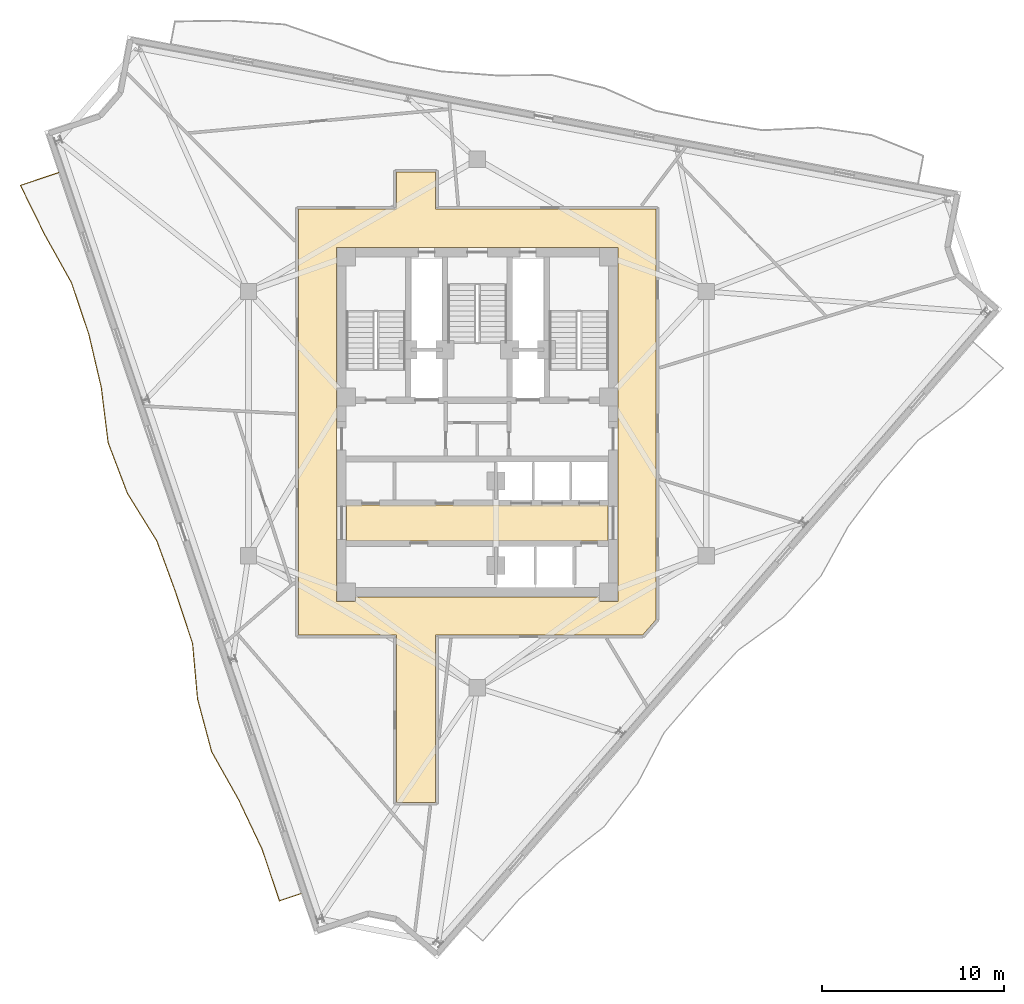
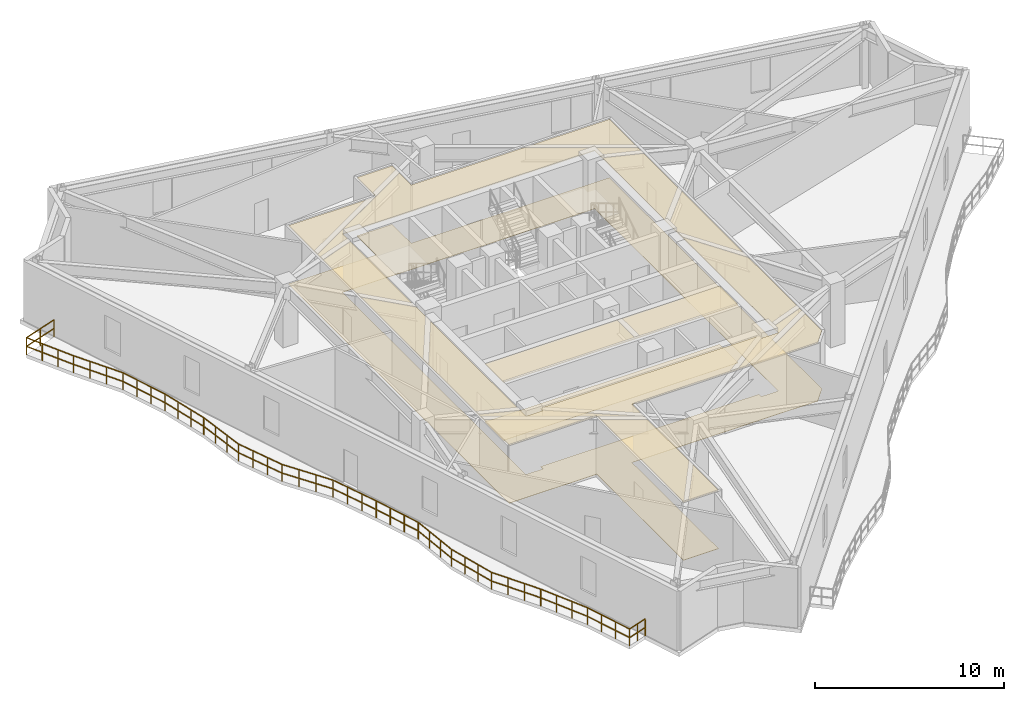
# One storey, part 8 of 11: 4 coverings, 1 railing.
"""IFC4 building model written with IfcOpenShell, lengths in metres."""

from ifc_helpers import new_model, si_unit, direction, frame, origin, origin_2d, place, context, subcontext, project, spatial, polyline, rectangle, outline, extrude, material, layer, layer_set, type_object, element, save


model = new_model("IFC4")

# Units and contexts
model_context = context("Model", 3, precision=1e-05, world=origin(), true_north=direction((0.0, 1.0)))
body_context = subcontext(model_context, "Body", "Model", "MODEL_VIEW")
ifc_project = project(units=[si_unit("LENGTHUNIT", "METRE"), si_unit("AREAUNIT", "SQUARE_METRE"), si_unit("VOLUMEUNIT", "CUBIC_METRE"), si_unit("PLANEANGLEUNIT", "RADIAN"), si_unit("MASSUNIT", "GRAM", prefix="KILO")], contexts=[model_context])

# Site, building, storey
site_placement = place(None, origin())
site = spatial("IfcSite", under=ifc_project, at=site_placement, CompositionType="ELEMENT")
building_placement = place(site_placement, origin())
building = spatial("IfcBuilding", under=site, at=building_placement, Name="Apsidion Concourse Tower", CompositionType="ELEMENT")
storey_placement = place(building_placement, frame((0.0, 0.0, 281.89990234375)))
storey = spatial("IfcBuildingStorey", under=building, at=storey_placement, Name="L66", CompositionType="ELEMENT", Elevation=281.89990234375)

# Coverings
ifc_material_1 = material(Name="Acoustic mineral fibre ceiling")
ifc_layer_1 = layer(ifc_material_1, 0.0400390625)
ifc_layer_set_1 = layer_set([ifc_layer_1], Name="Acoustic mineral fibre ceiling")
covering_type_1 = type_object("IfcCoveringType", Name="COV-CEIL-40", PredefinedType="CEILING", material=ifc_layer_set_1)
covering_1_placement = place(storey_placement, frame((0.0, 0.0, 3.75)))
element("IfcCovering", 1, at=covering_1_placement, inside=storey, type_object=covering_type_1, Name="L66 Acoustic Ceiling Grid 1", PredefinedType="CEILING", context=body_context, shape_type="SweptSolid", body=[
    extrude(outline(polyline([(-7.179931640625, -6.449951171875), (-7.179931640625, -4.47998046875), (7.179931640625, -4.47998046875), (7.179931640625, -6.449951171875), (-7.179931640625, -6.449951171875)])), origin(), (0.0, 0.0, 1.0), 0.0400390625),
])
covering_2_placement = place(storey_placement, frame((0.0, 0.0, 3.75)))
element("IfcCovering", 2, at=covering_2_placement, inside=storey, type_object=covering_type_1, Name="L66 Acoustic Ceiling Grid 2", PredefinedType="CEILING", context=body_context, shape_type="SweptSolid", body=[
    extrude(outline(polyline([(-9.820068359375, -11.6201171875), (-9.820068359375, 11.77001953125), (-4.449951171875, 11.77001953125), (-4.449951171875, 13.800048828125), (-2.300048828125, 13.800048828125), (-2.300048828125, 11.77001953125), (9.820068359375, 11.77001953125), (9.820068359375, -10.75341796875), (9.06689453125, -11.6201171875), (-2.300048828125, -11.6201171875), (-2.300048828125, -20.800048828125), (-4.449951171875, -20.800048828125), (-4.449951171875, -11.6201171875), (-9.820068359375, -11.6201171875)]), holes=[polyline([(7.699951171875, 9.669921875), (6.699951171875, 9.669921875), (-2.300048828125, 9.669921875), (-4.449951171875, 9.669921875), (-6.699951171875, 9.669921875), (-7.699951171875, 9.669921875), (-7.719970703125, 9.669921875), (-7.719970703125, 9.64990234375), (-7.719970703125, 8.64990234375), (-7.719970703125, 1.949951171875), (-7.719970703125, 0.949951171875), (-7.719970703125, -8.75), (-7.719970703125, -9.52001953125), (-7.719970703125, -9.75), (-7.719970703125, -9.751953125), (-7.719482421875, -9.75390625), (-7.718994140625, -9.755859375), (-7.718505859375, -9.7578125), (-7.717529296875, -9.759521484375), (-7.716552734375, -9.760986328125), (-7.715576171875, -9.7626953125), (-7.714111328125, -9.76416015625), (-7.712646484375, -9.765380859375), (-7.711181640625, -9.7666015625), (-7.70947265625, -9.767578125), (-7.707763671875, -9.7685546875), (-7.705810546875, -9.76904296875), (-7.703857421875, -9.76953125), (-7.701904296875, -9.77001953125), (-7.699951171875, -9.77001953125), (-6.699951171875, -9.77001953125), (-6.697998046875, -9.77001953125), (-6.696044921875, -9.76953125), (-6.694091796875, -9.76904296875), (-6.6923828125, -9.7685546875), (-6.690673828125, -9.767578125), (-6.68896484375, -9.7666015625), (-6.687255859375, -9.765380859375), (-6.685791015625, -9.76416015625), (-6.6845703125, -9.7626953125), (-6.683349609375, -9.760986328125), (-6.682373046875, -9.759521484375), (-6.681396484375, -9.7578125), (-6.680908203125, -9.755859375), (-6.680419921875, -9.75390625), (-6.68017578125, -9.751953125), (-6.679931640625, -9.75), (-6.679931640625, -9.52001953125), (-4.449951171875, -9.52001953125), (-2.300048828125, -9.52001953125), (6.679931640625, -9.52001953125), (6.679931640625, -9.75), (6.68017578125, -9.751953125), (6.680419921875, -9.75390625), (6.680908203125, -9.755859375), (6.681396484375, -9.7578125), (6.682373046875, -9.759521484375), (6.683349609375, -9.760986328125), (6.6845703125, -9.7626953125), (6.685791015625, -9.76416015625), (6.687255859375, -9.765380859375), (6.68896484375, -9.7666015625), (6.690673828125, -9.767578125), (6.6923828125, -9.7685546875), (6.694091796875, -9.76904296875), (6.696044921875, -9.76953125), (6.697998046875, -9.77001953125), (6.699951171875, -9.77001953125), (7.699951171875, -9.77001953125), (7.701904296875, -9.77001953125), (7.703857421875, -9.76953125), (7.705810546875, -9.76904296875), (7.707763671875, -9.7685546875), (7.70947265625, -9.767578125), (7.711181640625, -9.7666015625), (7.712646484375, -9.765380859375), (7.714111328125, -9.76416015625), (7.715576171875, -9.7626953125), (7.716552734375, -9.760986328125), (7.717529296875, -9.759521484375), (7.718505859375, -9.7578125), (7.718994140625, -9.755859375), (7.719482421875, -9.75390625), (7.719970703125, -9.751953125), (7.719970703125, -9.75), (7.719970703125, -9.52001953125), (7.719970703125, -8.75), (7.719970703125, 0.949951171875), (7.719970703125, 1.949951171875), (7.719970703125, 8.64990234375), (7.719970703125, 9.64990234375), (7.719970703125, 9.669921875), (7.699951171875, 9.669921875)])]), origin(), (0.0, 0.0, 1.0), 0.0400390625),
])
ifc_material_2 = material(Name="Honed travertine floor finish", Category="masonry")
ifc_layer_2 = layer(ifc_material_2, 0.02001953125)
ifc_layer_set_2 = layer_set([ifc_layer_2], Name="Honed travertine floor finish")
covering_type_2 = type_object("IfcCoveringType", Name="COV-FLOR-20", PredefinedType="FLOORING", material=ifc_layer_set_2)
covering_3_placement = place(storey_placement, origin())
element("IfcCovering", 3, at=covering_3_placement, inside=storey, type_object=covering_type_2, Name="L66 Honed Travertine Floor Finish 1", PredefinedType="FLOORING", context=body_context, shape_type="SweptSolid", body=[
    extrude(outline(polyline([(-7.179931640625, -6.449951171875), (-7.179931640625, -4.47998046875), (7.179931640625, -4.47998046875), (7.179931640625, -6.449951171875), (-7.179931640625, -6.449951171875)])), origin(), (0.0, 0.0, 1.0), 0.02001953125),
])
covering_4_placement = place(storey_placement, origin())
element("IfcCovering", 4, at=covering_4_placement, inside=storey, type_object=covering_type_2, Name="L66 Honed Travertine Floor Finish 2", PredefinedType="FLOORING", context=body_context, shape_type="SweptSolid", body=[
    extrude(outline(polyline([(-9.820068359375, -11.6201171875), (-9.820068359375, 11.77001953125), (-4.449951171875, 11.77001953125), (-4.449951171875, 13.800048828125), (-2.300048828125, 13.800048828125), (-2.300048828125, 11.77001953125), (9.820068359375, 11.77001953125), (9.820068359375, -10.75341796875), (9.06689453125, -11.6201171875), (-2.300048828125, -11.6201171875), (-2.300048828125, -20.800048828125), (-4.449951171875, -20.800048828125), (-4.449951171875, -11.6201171875), (-9.820068359375, -11.6201171875)]), holes=[polyline([(7.699951171875, 9.669921875), (6.699951171875, 9.669921875), (-2.300048828125, 9.669921875), (-4.449951171875, 9.669921875), (-6.699951171875, 9.669921875), (-7.699951171875, 9.669921875), (-7.719970703125, 9.669921875), (-7.719970703125, 9.64990234375), (-7.719970703125, 8.64990234375), (-7.719970703125, 1.949951171875), (-7.719970703125, 0.949951171875), (-7.719970703125, -8.75), (-7.719970703125, -9.52001953125), (-7.719970703125, -9.75), (-7.719970703125, -9.751953125), (-7.719482421875, -9.75390625), (-7.718994140625, -9.755859375), (-7.718505859375, -9.7578125), (-7.717529296875, -9.759521484375), (-7.716552734375, -9.760986328125), (-7.715576171875, -9.7626953125), (-7.714111328125, -9.76416015625), (-7.712646484375, -9.765380859375), (-7.711181640625, -9.7666015625), (-7.70947265625, -9.767578125), (-7.707763671875, -9.7685546875), (-7.705810546875, -9.76904296875), (-7.703857421875, -9.76953125), (-7.701904296875, -9.77001953125), (-7.699951171875, -9.77001953125), (-6.699951171875, -9.77001953125), (-6.697998046875, -9.77001953125), (-6.696044921875, -9.76953125), (-6.694091796875, -9.76904296875), (-6.6923828125, -9.7685546875), (-6.690673828125, -9.767578125), (-6.68896484375, -9.7666015625), (-6.687255859375, -9.765380859375), (-6.685791015625, -9.76416015625), (-6.6845703125, -9.7626953125), (-6.683349609375, -9.760986328125), (-6.682373046875, -9.759521484375), (-6.681396484375, -9.7578125), (-6.680908203125, -9.755859375), (-6.680419921875, -9.75390625), (-6.68017578125, -9.751953125), (-6.679931640625, -9.75), (-6.679931640625, -9.52001953125), (-4.449951171875, -9.52001953125), (-2.300048828125, -9.52001953125), (6.679931640625, -9.52001953125), (6.679931640625, -9.75), (6.68017578125, -9.751953125), (6.680419921875, -9.75390625), (6.680908203125, -9.755859375), (6.681396484375, -9.7578125), (6.682373046875, -9.759521484375), (6.683349609375, -9.760986328125), (6.6845703125, -9.7626953125), (6.685791015625, -9.76416015625), (6.687255859375, -9.765380859375), (6.68896484375, -9.7666015625), (6.690673828125, -9.767578125), (6.6923828125, -9.7685546875), (6.694091796875, -9.76904296875), (6.696044921875, -9.76953125), (6.697998046875, -9.77001953125), (6.699951171875, -9.77001953125), (7.699951171875, -9.77001953125), (7.701904296875, -9.77001953125), (7.703857421875, -9.76953125), (7.705810546875, -9.76904296875), (7.707763671875, -9.7685546875), (7.70947265625, -9.767578125), (7.711181640625, -9.7666015625), (7.712646484375, -9.765380859375), (7.714111328125, -9.76416015625), (7.715576171875, -9.7626953125), (7.716552734375, -9.760986328125), (7.717529296875, -9.759521484375), (7.718505859375, -9.7578125), (7.718994140625, -9.755859375), (7.719482421875, -9.75390625), (7.719970703125, -9.751953125), (7.719970703125, -9.75), (7.719970703125, -9.52001953125), (7.719970703125, -8.75), (7.719970703125, 0.949951171875), (7.719970703125, 1.949951171875), (7.719970703125, 8.64990234375), (7.719970703125, 9.64990234375), (7.719970703125, 9.669921875), (7.699951171875, 9.669921875)])]), origin(), (0.0, 0.0, 1.0), 0.02001953125),
])

# Railing
ifc_material_3 = material(Name="Brushed stainless steel 316", Category="steel")
railing_type = type_object("IfcRailingType", Name="RL-BAL-1120", PredefinedType="BALUSTRADE", material=ifc_material_3)
railing_placement = place(storey_placement, frame((-9.681396484375, -25.806884765625, 0.0)))
element("IfcRailing", 5, at=railing_placement, inside=storey, type_object=railing_type, Name="L66 Face 1 Rippling Balcony Balustrade", PredefinedType="BALUSTRADE", context=body_context, shape_type="SweptSolid", body=[
    extrude(rectangle(XDim=0.048095703125, YDim=0.048095703125, at=origin_2d()), frame((0.0, 0.0, 1.09619140625), z_axis=(-0.947840118805, -0.318746151636, 0.0), x_axis=(0.318746151636, -0.947840118805, 0.0)), (0.0, 0.0, 1.0), 1.25),
    extrude(rectangle(XDim=0.048095703125, YDim=0.048095703125, at=origin_2d()), frame((0.0, 0.0, 0.5361328125), z_axis=(-0.947840118805, -0.318746151636, 0.0), x_axis=(0.318746151636, -0.947840118805, 0.0)), (0.0, 0.0, 1.0), 1.25),
    extrude(rectangle(XDim=0.048095703125, YDim=0.048095703125, at=origin_2d()), frame((-1.184814453125, -0.3984375, 1.09619140625), z_axis=(-0.318878393992, 0.947795637173, 0.0), x_axis=(-0.947795637173, -0.318878393992, 0.0)), (0.0, 0.0, 1.0), 2.98291015625),
    extrude(rectangle(XDim=0.048095703125, YDim=0.048095703125, at=origin_2d()), frame((-1.184814453125, -0.3984375, 0.5361328125), z_axis=(-0.318878393992, 0.947795637173, 0.0), x_axis=(-0.947795637173, -0.318878393992, 0.0)), (0.0, 0.0, 1.0), 2.98291015625),
    extrude(rectangle(XDim=0.048095703125, YDim=0.048095703125, at=origin_2d()), frame((-2.135986328125, 2.4287109375, 1.09619140625), z_axis=(-0.427764884324, 0.903890039628, 0.0), x_axis=(-0.903890039628, -0.427764884324, 0.0)), (0.0, 0.0, 1.0), 3.003662109375),
    extrude(rectangle(XDim=0.048095703125, YDim=0.048095703125, at=origin_2d()), frame((-2.135986328125, 2.4287109375, 0.5361328125), z_axis=(-0.427764884324, 0.903890039628, 0.0), x_axis=(-0.903890039628, -0.427764884324, 0.0)), (0.0, 0.0, 1.0), 3.003662109375),
    extrude(rectangle(XDim=0.048095703125, YDim=0.048095703125, at=origin_2d()), frame((-3.4208984375, 5.143798828125, 1.09619140625), z_axis=(-0.489795394802, 0.871837411007, 0.0), x_axis=(-0.871837411007, -0.489795394802, 0.0)), (0.0, 0.0, 1.0), 3.0361328125),
    extrude(rectangle(XDim=0.048095703125, YDim=0.048095703125, at=origin_2d()), frame((-3.4208984375, 5.143798828125, 0.5361328125), z_axis=(-0.489795394802, 0.871837411007, 0.0), x_axis=(-0.871837411007, -0.489795394802, 0.0)), (0.0, 0.0, 1.0), 3.0361328125),
    extrude(rectangle(XDim=0.048095703125, YDim=0.048095703125, at=origin_2d()), frame((-4.907958984375, 7.790771484375, 1.09619140625), z_axis=(-0.258262468852, 0.966074788607, 0.0), x_axis=(-0.966074788607, -0.258262468852, 0.0)), (0.0, 0.0, 1.0), 2.989013671875),
    extrude(rectangle(XDim=0.048095703125, YDim=0.048095703125, at=origin_2d()), frame((-4.907958984375, 7.790771484375, 0.5361328125), z_axis=(-0.258262468852, 0.966074788607, 0.0), x_axis=(-0.966074788607, -0.258262468852, 0.0)), (0.0, 0.0, 1.0), 2.989013671875),
    extrude(rectangle(XDim=0.048095703125, YDim=0.048095703125, at=origin_2d()), frame((-5.679931640625, 10.678466796875, 1.09619140625), z_axis=(-0.090033309218, 0.995938754759, 0.0), x_axis=(-0.995938754759, -0.090033309218, 0.0)), (0.0, 0.0, 1.0), 3.06689453125),
    extrude(rectangle(XDim=0.048095703125, YDim=0.048095703125, at=origin_2d()), frame((-5.679931640625, 10.678466796875, 0.5361328125), z_axis=(-0.090033309218, 0.995938754759, 0.0), x_axis=(-0.995938754759, -0.090033309218, 0.0)), (0.0, 0.0, 1.0), 3.06689453125),
    extrude(rectangle(XDim=0.048095703125, YDim=0.048095703125, at=origin_2d()), frame((-5.9560546875, 13.73291015625, 1.09619140625), z_axis=(-0.313943475963, 0.949441674828, 0.0), x_axis=(-0.949441674828, -0.313943475963, 0.0)), (0.0, 0.0, 1.0), 2.983154296875),
    extrude(rectangle(XDim=0.048095703125, YDim=0.048095703125, at=origin_2d()), frame((-5.9560546875, 13.73291015625, 0.5361328125), z_axis=(-0.313943475963, 0.949441674828, 0.0), x_axis=(-0.949441674828, -0.313943475963, 0.0)), (0.0, 0.0, 1.0), 2.983154296875),
    extrude(rectangle(XDim=0.048095703125, YDim=0.048095703125, at=origin_2d()), frame((-6.892578125, 16.565185546875, 1.09619140625), z_axis=(-0.344021460966, 0.938961785375, 0.0), x_axis=(-0.938961785375, -0.344021460966, 0.0)), (0.0, 0.0, 1.0), 2.984130859375),
    extrude(rectangle(XDim=0.048095703125, YDim=0.048095703125, at=origin_2d()), frame((-6.892578125, 16.565185546875, 0.5361328125), z_axis=(-0.344021460966, 0.938961785375, 0.0), x_axis=(-0.938961785375, -0.344021460966, 0.0)), (0.0, 0.0, 1.0), 2.984130859375),
    extrude(rectangle(XDim=0.048095703125, YDim=0.048095703125, at=origin_2d()), frame((-7.919189453125, 19.3671875, 1.09619140625), z_axis=(-0.526469841936, 0.850193804689, 0.0), x_axis=(-0.850193804689, -0.526469841936, 0.0)), (0.0, 0.0, 1.0), 3.0634765625),
    extrude(rectangle(XDim=0.048095703125, YDim=0.048095703125, at=origin_2d()), frame((-7.919189453125, 19.3671875, 0.5361328125), z_axis=(-0.526469841936, 0.850193804689, 0.0), x_axis=(-0.850193804689, -0.526469841936, 0.0)), (0.0, 0.0, 1.0), 3.0634765625),
    extrude(rectangle(XDim=0.048095703125, YDim=0.048095703125, at=origin_2d()), frame((-9.531982421875, 21.9716796875, 1.09619140625), z_axis=(-0.354991942977, 0.934869360083, 0.0), x_axis=(-0.934869360083, -0.354991942977, 0.0)), (0.0, 0.0, 1.0), 2.9853515625),
    extrude(rectangle(XDim=0.048095703125, YDim=0.048095703125, at=origin_2d()), frame((-9.531982421875, 21.9716796875, 0.5361328125), z_axis=(-0.354991942977, 0.934869360083, 0.0), x_axis=(-0.934869360083, -0.354991942977, 0.0)), (0.0, 0.0, 1.0), 2.9853515625),
    extrude(rectangle(XDim=0.048095703125, YDim=0.048095703125, at=origin_2d()), frame((-10.591796875, 24.7626953125, 1.09619140625), z_axis=(-0.12277132863, 0.992434985713, 0.0), x_axis=(-0.992434985713, -0.12277132863, 0.0)), (0.0, 0.0, 1.0), 3.04443359375),
    extrude(rectangle(XDim=0.048095703125, YDim=0.048095703125, at=origin_2d()), frame((-10.591796875, 24.7626953125, 0.5361328125), z_axis=(-0.12277132863, 0.992434985713, 0.0), x_axis=(-0.992434985713, -0.12277132863, 0.0)), (0.0, 0.0, 1.0), 3.04443359375),
    extrude(rectangle(XDim=0.048095703125, YDim=0.048095703125, at=origin_2d()), frame((-10.965576171875, 27.7841796875, 1.09619140625), z_axis=(-0.228053746984, 0.973648544644, 0.0), x_axis=(-0.973648544644, -0.228053746984, 0.0)), (0.0, 0.0, 1.0), 2.996337890625),
    extrude(rectangle(XDim=0.048095703125, YDim=0.048095703125, at=origin_2d()), frame((-10.965576171875, 27.7841796875, 0.5361328125), z_axis=(-0.228053746984, 0.973648544644, 0.0), x_axis=(-0.973648544644, -0.228053746984, 0.0)), (0.0, 0.0, 1.0), 2.996337890625),
    extrude(rectangle(XDim=0.048095703125, YDim=0.048095703125, at=origin_2d()), frame((-11.64892578125, 30.70166015625, 1.09619140625), z_axis=(-0.318853658864, 0.947803958754, 0.0), x_axis=(-0.947803958754, -0.318853658864, 0.0)), (0.0, 0.0, 1.0), 2.983154296875),
    extrude(rectangle(XDim=0.048095703125, YDim=0.048095703125, at=origin_2d()), frame((-11.64892578125, 30.70166015625, 0.5361328125), z_axis=(-0.318853658864, 0.947803958754, 0.0), x_axis=(-0.947803958754, -0.318853658864, 0.0)), (0.0, 0.0, 1.0), 2.983154296875),
    extrude(rectangle(XDim=0.048095703125, YDim=0.048095703125, at=origin_2d()), frame((-12.60009765625, 33.529052734375, 1.09619140625), z_axis=(-0.486305564923, 0.873788817464, 0.0), x_axis=(-0.873788817464, -0.486305564923, 0.0)), (0.0, 0.0, 1.0), 3.03369140625),
    extrude(rectangle(XDim=0.048095703125, YDim=0.048095703125, at=origin_2d()), frame((-12.60009765625, 33.529052734375, 0.5361328125), z_axis=(-0.486305564923, 0.873788817464, 0.0), x_axis=(-0.873788817464, -0.486305564923, 0.0)), (0.0, 0.0, 1.0), 3.03369140625),
    extrude(rectangle(XDim=0.048095703125, YDim=0.048095703125, at=origin_2d()), frame((-14.075439453125, 36.179931640625, 1.09619140625), z_axis=(-0.441232911748, 0.897392621761, 0.0), x_axis=(-0.897392621761, -0.441232911748, 0.0)), (0.0, 0.0, 1.0), 3.009521484375),
    extrude(rectangle(XDim=0.048095703125, YDim=0.048095703125, at=origin_2d()), frame((-14.075439453125, 36.179931640625, 0.5361328125), z_axis=(-0.441232911748, 0.897392621761, 0.0), x_axis=(-0.897392621761, -0.441232911748, 0.0)), (0.0, 0.0, 1.0), 3.009521484375),
    extrude(rectangle(XDim=0.048095703125, YDim=0.048095703125, at=origin_2d()), frame((-15.4033203125, 38.880615234375, 1.09619140625), z_axis=(0.94778062216, 0.318923019329, 0.0), x_axis=(-0.318923019329, 0.94778062216, 0.0)), (0.0, 0.0, 1.0), 2.2001953125),
    extrude(rectangle(XDim=0.048095703125, YDim=0.048095703125, at=origin_2d()), frame((-15.4033203125, 38.880615234375, 0.5361328125), z_axis=(0.94778062216, 0.318923019329, 0.0), x_axis=(-0.318923019329, 0.94778062216, 0.0)), (0.0, 0.0, 1.0), 2.2001953125),
    extrude(rectangle(XDim=0.0419921875, YDim=0.0419921875, at=origin_2d()), origin(), (0.0, 0.0, 1.0), 1.072021484375),
    extrude(rectangle(XDim=0.0419921875, YDim=0.0419921875, at=origin_2d()), frame((-0.59228515625, -0.19921875, 0.0)), (0.0, 0.0, 1.0), 1.072021484375),
    extrude(rectangle(XDim=0.0419921875, YDim=0.0419921875, at=origin_2d()), frame((-1.184814453125, -0.3984375, 0.0)), (0.0, 0.0, 1.0), 1.072021484375),
    extrude(rectangle(XDim=0.0419921875, YDim=0.0419921875, at=origin_2d()), frame((-1.501953125, 0.5439453125, 0.0)), (0.0, 0.0, 1.0), 1.072021484375),
    extrude(rectangle(XDim=0.0419921875, YDim=0.0419921875, at=origin_2d()), frame((-1.81884765625, 1.486328125, 0.0)), (0.0, 0.0, 1.0), 1.072021484375),
    extrude(rectangle(XDim=0.0419921875, YDim=0.0419921875, at=origin_2d()), frame((-2.135986328125, 2.4287109375, 0.0)), (0.0, 0.0, 1.0), 1.072021484375),
    extrude(rectangle(XDim=0.0419921875, YDim=0.0419921875, at=origin_2d()), frame((-2.564208984375, 3.333740234375, 0.0)), (0.0, 0.0, 1.0), 1.072021484375),
    extrude(rectangle(XDim=0.0419921875, YDim=0.0419921875, at=origin_2d()), frame((-2.99267578125, 4.23876953125, 0.0)), (0.0, 0.0, 1.0), 1.072021484375),
    extrude(rectangle(XDim=0.0419921875, YDim=0.0419921875, at=origin_2d()), frame((-3.4208984375, 5.143798828125, 0.0)), (0.0, 0.0, 1.0), 1.072021484375),
    extrude(rectangle(XDim=0.0419921875, YDim=0.0419921875, at=origin_2d()), frame((-3.91650390625, 6.026123046875, 0.0)), (0.0, 0.0, 1.0), 1.072021484375),
    extrude(rectangle(XDim=0.0419921875, YDim=0.0419921875, at=origin_2d()), frame((-4.412353515625, 6.908447265625, 0.0)), (0.0, 0.0, 1.0), 1.072021484375),
    extrude(rectangle(XDim=0.0419921875, YDim=0.0419921875, at=origin_2d()), frame((-4.907958984375, 7.790771484375, 0.0)), (0.0, 0.0, 1.0), 1.072021484375),
    extrude(rectangle(XDim=0.0419921875, YDim=0.0419921875, at=origin_2d()), frame((-5.165283203125, 8.75341796875, 0.0)), (0.0, 0.0, 1.0), 1.072021484375),
    extrude(rectangle(XDim=0.0419921875, YDim=0.0419921875, at=origin_2d()), frame((-5.422607421875, 9.7158203125, 0.0)), (0.0, 0.0, 1.0), 1.072021484375),
    extrude(rectangle(XDim=0.0419921875, YDim=0.0419921875, at=origin_2d()), frame((-5.679931640625, 10.678466796875, 0.0)), (0.0, 0.0, 1.0), 1.072021484375),
    extrude(rectangle(XDim=0.0419921875, YDim=0.0419921875, at=origin_2d()), frame((-5.77197265625, 11.696533203125, 0.0)), (0.0, 0.0, 1.0), 1.072021484375),
    extrude(rectangle(XDim=0.0419921875, YDim=0.0419921875, at=origin_2d()), frame((-5.864013671875, 12.71484375, 0.0)), (0.0, 0.0, 1.0), 1.072021484375),
    extrude(rectangle(XDim=0.0419921875, YDim=0.0419921875, at=origin_2d()), frame((-5.9560546875, 13.73291015625, 0.0)), (0.0, 0.0, 1.0), 1.072021484375),
    extrude(rectangle(XDim=0.0419921875, YDim=0.0419921875, at=origin_2d()), frame((-6.268310546875, 14.677001953125, 0.0)), (0.0, 0.0, 1.0), 1.072021484375),
    extrude(rectangle(XDim=0.0419921875, YDim=0.0419921875, at=origin_2d()), frame((-6.580322265625, 15.62109375, 0.0)), (0.0, 0.0, 1.0), 1.072021484375),
    extrude(rectangle(XDim=0.0419921875, YDim=0.0419921875, at=origin_2d()), frame((-6.892578125, 16.565185546875, 0.0)), (0.0, 0.0, 1.0), 1.072021484375),
    extrude(rectangle(XDim=0.0419921875, YDim=0.0419921875, at=origin_2d()), frame((-7.23486328125, 17.499267578125, 0.0)), (0.0, 0.0, 1.0), 1.072021484375),
    extrude(rectangle(XDim=0.0419921875, YDim=0.0419921875, at=origin_2d()), frame((-7.576904296875, 18.43310546875, 0.0)), (0.0, 0.0, 1.0), 1.072021484375),
    extrude(rectangle(XDim=0.0419921875, YDim=0.0419921875, at=origin_2d()), frame((-7.919189453125, 19.3671875, 0.0)), (0.0, 0.0, 1.0), 1.072021484375),
    extrude(rectangle(XDim=0.0419921875, YDim=0.0419921875, at=origin_2d()), frame((-8.456787109375, 20.2353515625, 0.0)), (0.0, 0.0, 1.0), 1.072021484375),
    extrude(rectangle(XDim=0.0419921875, YDim=0.0419921875, at=origin_2d()), frame((-8.994384765625, 21.103515625, 0.0)), (0.0, 0.0, 1.0), 1.072021484375),
    extrude(rectangle(XDim=0.0419921875, YDim=0.0419921875, at=origin_2d()), frame((-9.531982421875, 21.9716796875, 0.0)), (0.0, 0.0, 1.0), 1.072021484375),
    extrude(rectangle(XDim=0.0419921875, YDim=0.0419921875, at=origin_2d()), frame((-9.88525390625, 22.902099609375, 0.0)), (0.0, 0.0, 1.0), 1.072021484375),
    extrude(rectangle(XDim=0.0419921875, YDim=0.0419921875, at=origin_2d()), frame((-10.238525390625, 23.832275390625, 0.0)), (0.0, 0.0, 1.0), 1.072021484375),
    extrude(rectangle(XDim=0.0419921875, YDim=0.0419921875, at=origin_2d()), frame((-10.591796875, 24.7626953125, 0.0)), (0.0, 0.0, 1.0), 1.072021484375),
    extrude(rectangle(XDim=0.0419921875, YDim=0.0419921875, at=origin_2d()), frame((-10.71630859375, 25.769775390625, 0.0)), (0.0, 0.0, 1.0), 1.072021484375),
    extrude(rectangle(XDim=0.0419921875, YDim=0.0419921875, at=origin_2d()), frame((-10.841064453125, 26.777099609375, 0.0)), (0.0, 0.0, 1.0), 1.072021484375),
    extrude(rectangle(XDim=0.0419921875, YDim=0.0419921875, at=origin_2d()), frame((-10.965576171875, 27.7841796875, 0.0)), (0.0, 0.0, 1.0), 1.072021484375),
    extrude(rectangle(XDim=0.0419921875, YDim=0.0419921875, at=origin_2d()), frame((-11.193359375, 28.756591796875, 0.0)), (0.0, 0.0, 1.0), 1.072021484375),
    extrude(rectangle(XDim=0.0419921875, YDim=0.0419921875, at=origin_2d()), frame((-11.421142578125, 29.729248046875, 0.0)), (0.0, 0.0, 1.0), 1.072021484375),
    extrude(rectangle(XDim=0.0419921875, YDim=0.0419921875, at=origin_2d()), frame((-11.64892578125, 30.70166015625, 0.0)), (0.0, 0.0, 1.0), 1.072021484375),
    extrude(rectangle(XDim=0.0419921875, YDim=0.0419921875, at=origin_2d()), frame((-11.966064453125, 31.64404296875, 0.0)), (0.0, 0.0, 1.0), 1.072021484375),
    extrude(rectangle(XDim=0.0419921875, YDim=0.0419921875, at=origin_2d()), frame((-12.282958984375, 32.586669921875, 0.0)), (0.0, 0.0, 1.0), 1.072021484375),
    extrude(rectangle(XDim=0.0419921875, YDim=0.0419921875, at=origin_2d()), frame((-12.60009765625, 33.529052734375, 0.0)), (0.0, 0.0, 1.0), 1.072021484375),
    extrude(rectangle(XDim=0.0419921875, YDim=0.0419921875, at=origin_2d()), frame((-13.091796875, 34.41259765625, 0.0)), (0.0, 0.0, 1.0), 1.072021484375),
    extrude(rectangle(XDim=0.0419921875, YDim=0.0419921875, at=origin_2d()), frame((-13.583740234375, 35.29638671875, 0.0)), (0.0, 0.0, 1.0), 1.072021484375),
    extrude(rectangle(XDim=0.0419921875, YDim=0.0419921875, at=origin_2d()), frame((-14.075439453125, 36.179931640625, 0.0)), (0.0, 0.0, 1.0), 1.072021484375),
    extrude(rectangle(XDim=0.0419921875, YDim=0.0419921875, at=origin_2d()), frame((-14.51806640625, 37.080078125, 0.0)), (0.0, 0.0, 1.0), 1.072021484375),
    extrude(rectangle(XDim=0.0419921875, YDim=0.0419921875, at=origin_2d()), frame((-14.960693359375, 37.98046875, 0.0)), (0.0, 0.0, 1.0), 1.072021484375),
    extrude(rectangle(XDim=0.0419921875, YDim=0.0419921875, at=origin_2d()), frame((-15.4033203125, 38.880615234375, 0.0)), (0.0, 0.0, 1.0), 1.072021484375),
    extrude(rectangle(XDim=0.0419921875, YDim=0.0419921875, at=origin_2d()), frame((-14.36083984375, 39.2314453125, 0.0)), (0.0, 0.0, 1.0), 1.072021484375),
    extrude(rectangle(XDim=0.0419921875, YDim=0.0419921875, at=origin_2d()), frame((-13.318115234375, 39.582275390625, 0.0)), (0.0, 0.0, 1.0), 1.072021484375),
])

save(model, "model.ifc")
